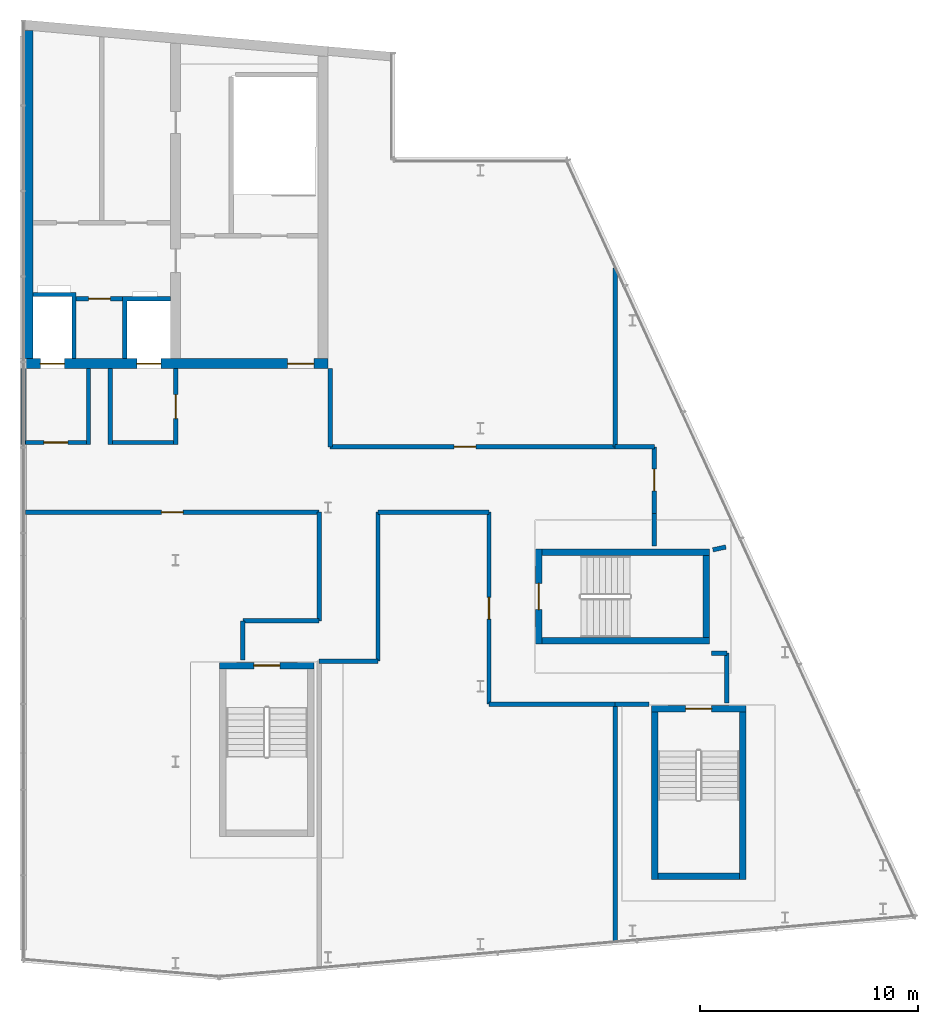
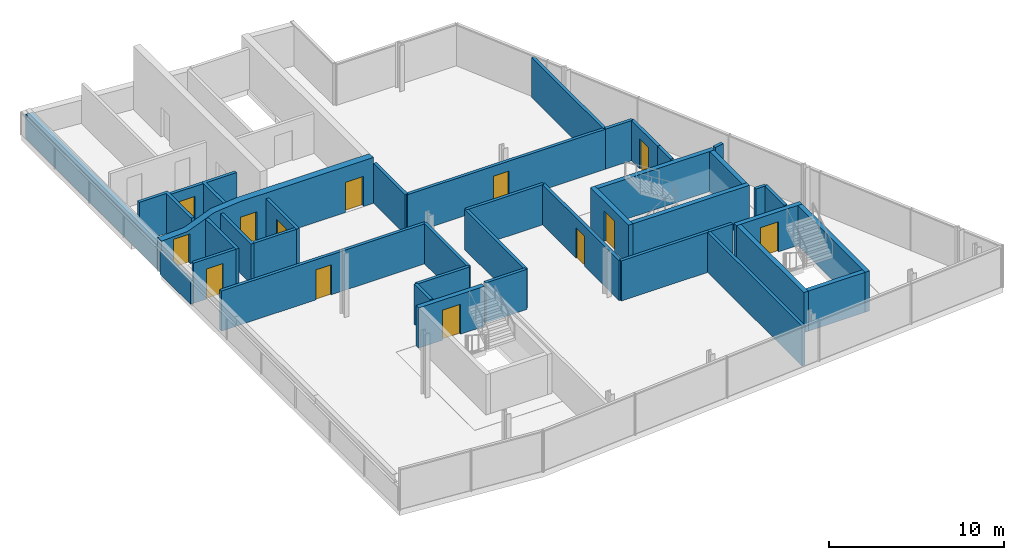
# One storey, part 8 of 10: 40 walls, 13 doors, 13 openings.
"""IFC4 building model written with IfcOpenShell, lengths in metres."""

import ifcopenshell
import ifcopenshell.guid

model = None  # the IFC model being written
_history = None  # IfcOwnerHistory: only IFC2X3 demands one
_inside = {}  # id of a spatial element -> (the spatial element, [elements in it])
_under = {}  # id of a project, library or spatial element -> (it, [spatial elements below it])
_declared = {}  # id of a project -> (the project, [libraries it declares])
_typed = {}  # id of a type object -> (the type object, [elements of that type])
_made_of = {}  # id of a material, layer set ... -> (it, [elements and type objects made of it])


def new_model(schema):
    """Start an empty IFC model of exactly this schema.

    Asked for "IFC4X3", IfcOpenShell would pick the latest addendum, in which some entities
    have other attributes; the version numbers below select the first issue.
    IFC2X3 requires an IfcOwnerHistory on every rooted entity: one is made here for all.
    """
    global model, _history
    if schema == "IFC4X3":
        model = ifcopenshell.file(schema_version=(4, 3, 0, 0))
    else:
        model = ifcopenshell.file(schema=schema)
    _inside.clear()
    _under.clear()
    _declared.clear()
    _typed.clear()
    _made_of.clear()
    _history = None
    if model.schema == "IFC2X3":
        org = make("IfcOrganization", Name="unknown")
        user = make(
            "IfcPersonAndOrganization",
            ThePerson=make("IfcPerson", FamilyName="unknown"),
            TheOrganization=org,
        )
        app = make(
            "IfcApplication",
            ApplicationDeveloper=org,
            Version="unknown",
            ApplicationFullName="unknown",
            ApplicationIdentifier="unknown",
        )
        _history = make(
            "IfcOwnerHistory",
            OwningUser=user,
            OwningApplication=app,
            ChangeAction="ADDED",
            CreationDate=0,
        )
    return model


def make(cls, **values):
    """One entity of the class cls with the attributes given. An attribute that is None is left unset."""
    return model.create_entity(
        cls, **{name: value for name, value in values.items() if value is not None}
    )


def rooted(cls, **values):
    """An entity with a GlobalId (a new one), such as an element, a storey or a relation."""
    return make(cls, GlobalId=ifcopenshell.guid.new(), OwnerHistory=_history, **values)


def si_unit(unit_type, name, prefix=None):
    """IfcSIUnit, for example si_unit("LENGTHUNIT", "METRE", prefix="MILLI")."""
    return make("IfcSIUnit", UnitType=unit_type, Prefix=prefix, Name=name)


def assignment(units):
    """IfcUnitAssignment: the units of a project."""
    return None if units is None else make("IfcUnitAssignment", Units=units)


def point(xyz):
    """IfcCartesianPoint."""
    return None if xyz is None else make("IfcCartesianPoint", Coordinates=xyz)


def direction(xyz):
    """IfcDirection."""
    return None if xyz is None else make("IfcDirection", DirectionRatios=xyz)


def frame(location, z_axis=None, x_axis=None):
    """IfcAxis2Placement3D, a coordinate frame: its origin and axes. An axis left out is left unset."""
    return make(
        "IfcAxis2Placement3D",
        Location=point(location),
        Axis=direction(z_axis),
        RefDirection=direction(x_axis),
    )


def frame_2d(location, x_axis=None):
    """IfcAxis2Placement2D, a coordinate frame in the plane: its origin and x axis."""
    return make(
        "IfcAxis2Placement2D", Location=point(location), RefDirection=direction(x_axis)
    )


def origin():
    """The frame at (0, 0, 0) with its axes left unset."""
    return frame((0.0, 0.0, 0.0))


def place(relative_to, where):
    """IfcLocalPlacement: puts the frame where relative to a parent placement (None: the world)."""
    return make(
        "IfcLocalPlacement", PlacementRelTo=relative_to, RelativePlacement=where
    )


def context(
    kind, dimensions, precision=None, world=None, true_north=None, identifier=None
):
    """IfcGeometricRepresentationContext, for example the 3D "Model" context."""
    return make(
        "IfcGeometricRepresentationContext",
        ContextIdentifier=identifier,
        ContextType=kind,
        CoordinateSpaceDimension=dimensions,
        Precision=precision,
        WorldCoordinateSystem=world,
        TrueNorth=true_north,
    )


def subcontext(parent, identifier, kind, view, scale=None):
    """IfcGeometricRepresentationSubContext, for example "Body" below "Model"."""
    return make(
        "IfcGeometricRepresentationSubContext",
        ContextIdentifier=identifier,
        ContextType=kind,
        ParentContext=parent,
        TargetScale=scale,
        TargetView=view,
    )


def project(units=None, contexts=None):
    """IfcProject with its units and contexts."""
    return rooted(
        "IfcProject",
        Name="project",
        RepresentationContexts=contexts,
        UnitsInContext=assignment(units),
    )


def spatial(cls, under=None, at=None, **own):
    """A site, building, storey or space (cls), placed at a placement, below another one or the project."""
    s = rooted(cls, ObjectPlacement=at, **own)
    if under is not None:
        _under.setdefault(under.id(), (under, []))[1].append(s)
    return s


def polyline(points):
    """IfcPolyline through the points."""
    return make("IfcPolyline", Points=[point(p) for p in points])


def profile(cls, at=None, kind="AREA", **sizes):
    """A parametric profile (cls). Its sizes go by their IFC names, for example OverallWidth=200.0."""
    return make(cls, ProfileType=kind, Position=at, **sizes)


def rectangle(**sizes):
    """IfcRectangleProfileDef."""
    return profile("IfcRectangleProfileDef", **sizes)


def outline(outer, holes=None, kind="AREA"):
    """IfcArbitraryClosedProfileDef: a profile drawn as a closed curve; with holes, ...WithVoids."""
    if holes is None:
        return make("IfcArbitraryClosedProfileDef", ProfileType=kind, OuterCurve=outer)
    return make(
        "IfcArbitraryProfileDefWithVoids",
        ProfileType=kind,
        OuterCurve=outer,
        InnerCurves=holes,
    )


def extrude(swept, where, along, depth):
    """IfcExtrudedAreaSolid: the profile swept, set in the frame where, extruded along a direction by depth."""
    return make(
        "IfcExtrudedAreaSolid",
        SweptArea=swept,
        Position=where,
        ExtrudedDirection=direction(along),
        Depth=depth,
    )


def shape(context_of_items, identifier, shape_type, items):
    """IfcShapeRepresentation: the items that make up one representation, for example the "Body"."""
    return make(
        "IfcShapeRepresentation",
        ContextOfItems=context_of_items,
        RepresentationIdentifier=identifier,
        RepresentationType=shape_type,
        Items=items,
    )


def material(Name=None, Category=None):
    """IfcMaterial."""
    return make("IfcMaterial", Name=Name, Category=Category)


def layer(
    of_material, thickness, ventilated=None, Name=None, Category=None, Priority=None
):
    """IfcMaterialLayer: one layer of a wall or slab, of a material (None: an air gap)."""
    return make(
        "IfcMaterialLayer",
        Material=of_material,
        LayerThickness=thickness,
        IsVentilated=ventilated,
        Name=Name,
        Category=Category,
        Priority=Priority,
    )


def layer_set(layers, Name=None):
    """IfcMaterialLayerSet."""
    return make("IfcMaterialLayerSet", MaterialLayers=layers, LayerSetName=Name)


def made_of(thing, what):
    """Note that an element or type object is made of a material, layer set ...; save() writes the relation."""
    if what is not None:
        _made_of.setdefault(what.id(), (what, []))[1].append(thing)
    return thing


def type_object(cls, material=None, **own):
    """A type object (cls), such as IfcWallType, which elements share."""
    return made_of(rooted(cls, **own), material)


def element(
    cls,
    number,
    at=None,
    inside=None,
    cuts=None,
    type_object=None,
    material=None,
    context=None,
    identifier="Body",
    shape_type=None,
    held_by="IfcProductDefinitionShape",
    body=None,
    shapes=None,
    **own,
):
    """One element of the class cls, such as IfcWall. Its Tag is "e" and its number.

    at: its placement. inside: the storey or other place that contains it. cuts: it is an
    opening in that element (IfcRelVoidsElement). A single representation is given by context,
    identifier, shape_type and body (its items); several are given by shapes. held_by: the class
    of the entity that holds the representations. save() writes the other relations.
    """
    e = rooted(cls, Tag="e%d" % number, ObjectPlacement=at, **own)
    if body is not None:
        shapes = [shape(context, identifier, shape_type, body)]
    if shapes is not None:
        e.Representation = make(held_by, Representations=shapes)
    if inside is not None:
        _inside.setdefault(inside.id(), (inside, []))[1].append(e)
    if cuts is not None:
        rooted(
            "IfcRelVoidsElement", RelatingBuildingElement=cuts, RelatedOpeningElement=e
        )
    if type_object is not None:
        _typed.setdefault(type_object.id(), (type_object, []))[1].append(e)
    return made_of(e, material)


def fill(opening, filler):
    """IfcRelFillsElement: the door or window that sits in an opening."""
    return rooted(
        "IfcRelFillsElement",
        RelatingOpeningElement=opening,
        RelatedBuildingElement=filler,
    )


def aggregate(whole, parts):
    """IfcRelAggregates: a whole, such as a stair, and the parts it consists of."""
    return rooted("IfcRelAggregates", RelatingObject=whole, RelatedObjects=parts)


def save(model, path):
    """Write the relations noted so far, then the file.

    IfcRelAggregates (storeys below a building ...), IfcRelContainedInSpatialStructure (elements
    in a storey), IfcRelDefinesByType, IfcRelAssociatesMaterial and IfcRelDeclares: one each for
    every whole, place, type object, material and project.
    """
    for whole, parts in _under.values():
        aggregate(whole, parts)
    for where, things in _inside.values():
        rooted(
            "IfcRelContainedInSpatialStructure",
            RelatedElements=things,
            RelatingStructure=where,
        )
    for kind, things in _typed.values():
        rooted("IfcRelDefinesByType", RelatedObjects=things, RelatingType=kind)
    for what, things in _made_of.values():
        rooted("IfcRelAssociatesMaterial", RelatedObjects=things, RelatingMaterial=what)
    for by, libraries in _declared.values():
        rooted("IfcRelDeclares", RelatingContext=by, RelatedDefinitions=libraries)
    model.write(path)


model = new_model("IFC4")

# Units and contexts
model_context = context("Model", 3, precision=1e-05, world=origin(), true_north=direction((0.0, 1.0)))
body_context = subcontext(model_context, "Body", "Model", "MODEL_VIEW")
ifc_project = project(units=[si_unit("LENGTHUNIT", "METRE"), si_unit("AREAUNIT", "SQUARE_METRE"), si_unit("VOLUMEUNIT", "CUBIC_METRE"), si_unit("PLANEANGLEUNIT", "RADIAN"), si_unit("MASSUNIT", "GRAM", prefix="KILO")], contexts=[model_context])

# Site, building, storey
site_placement = place(None, origin())
site = spatial("IfcSite", under=ifc_project, at=site_placement, CompositionType="ELEMENT")
building_placement = place(site_placement, origin())
building = spatial("IfcBuilding", under=site, at=building_placement, Name="Wharfspan Tower", CompositionType="ELEMENT")
storey_placement = place(building_placement, frame((0.0, 0.0, 267.5)))
storey = spatial("IfcBuildingStorey", under=building, at=storey_placement, Name="L68", CompositionType="ELEMENT", Elevation=267.5)

# Wall, opening, door
ifc_material_1 = material(Name="Calcium silicate masonry", Category="masonry")
ifc_layer_1 = layer(ifc_material_1, 0.199951)
ifc_layer_set_1 = layer_set([ifc_layer_1], Name="Calcium silicate masonry")
wall_type_1 = type_object("IfcWallType", Name="Core room wall 200", PredefinedType="PARTITIONING", material=ifc_layer_set_1)
wall_1_placement = place(storey_placement, frame((39.43335, 37.199951, 0.0), z_axis=(0.0, 0.0, 1.0), x_axis=(1.0, 0.0, 0.0)))
wall_1 = element("IfcWall", 1, at=wall_1_placement, inside=storey, type_object=wall_type_1, Name="sw:L68:FR4.2", PredefinedType="PARTITIONING", context=body_context, shape_type="SweptSolid", body=[
    extrude(rectangle(XDim=2.133301, YDim=0.199951, at=frame_2d((1.06665, 0.0))), origin(), (0.0, 0.0, 1.0), 2.800049),
])
opening_1_placement = place(wall_1_placement, frame((0.56665, 0.0, 0.0)))
opening_1 = element("IfcOpeningElement", 2, at=opening_1_placement, cuts=wall_1, Name="Opening CD68.4H2", PredefinedType="OPENING", context=body_context, shape_type="SweptSolid", body=[
    extrude(rectangle(XDim=1.0, YDim=2.100098, at=frame_2d((0.5, 1.050049))), frame((0.0, 0.109863, 0.0), z_axis=(0.0, -1.0, 0.0), x_axis=(1.0, 0.0, 0.0)), (0.0, 0.0, 1.0), 0.219971),
])
ifc_material_2 = material(Name="Steel door leaf", Category="steel")
door_type_1 = type_object("IfcDoorType", Name="Core room door 1000x2100", OperationType="SINGLE_SWING_LEFT", PredefinedType="DOOR", material=ifc_material_2)
door_1_placement = place(opening_1_placement, origin())
door_1 = element("IfcDoor", 3, at=door_1_placement, inside=storey, type_object=door_type_1, Name="d:L68:4:fh4.2", OperationType="SINGLE_SWING_RIGHT", OverallHeight=2.100098, OverallWidth=1.0, PredefinedType="DOOR", context=body_context, shape_type="SweptSolid", body=[
    extrude(rectangle(XDim=1.0, YDim=2.100098, at=frame_2d((0.5, 1.050049))), frame((0.0, 0.024902, 0.0), z_axis=(0.0, -1.0, 0.0), x_axis=(1.0, 0.0, 0.0)), (0.0, 0.0, 1.0), 0.050049),
])
fill(opening_1, door_1)

wall_2_placement = place(storey_placement, frame((37.100098, 27.399902, 0.0), z_axis=(0.0, 0.0, 1.0), x_axis=(1.0, 0.0, 0.0)))
wall_2 = element("IfcWall", 4, at=wall_2_placement, inside=storey, type_object=wall_type_1, Name="cr:L68:w1", PredefinedType="PARTITIONING", context=body_context, shape_type="SweptSolid", body=[
    extrude(rectangle(XDim=13.5, YDim=0.199951, at=frame_2d((6.75, 0.0))), origin(), (0.0, 0.0, 1.0), 2.800049),
])
opening_2_placement = place(wall_2_placement, frame((6.25, 0.0, 0.0)))
opening_2 = element("IfcOpeningElement", 5, at=opening_2_placement, cuts=wall_2, Name="Opening CD68.d1", PredefinedType="OPENING", context=body_context, shape_type="SweptSolid", body=[
    extrude(rectangle(XDim=1.0, YDim=2.100098, at=frame_2d((0.5, 1.050049))), frame((0.0, 0.109863, 0.0), z_axis=(0.0, -1.0, 0.0), x_axis=(1.0, 0.0, 0.0)), (0.0, 0.0, 1.0), 0.219971),
])
door_2_placement = place(opening_2_placement, origin())
door_2 = element("IfcDoor", 6, at=door_2_placement, inside=storey, type_object=door_type_1, Name="cd:L68:d1", OperationType="SINGLE_SWING_LEFT", OverallHeight=2.100098, OverallWidth=1.0, PredefinedType="DOOR", context=body_context, shape_type="SweptSolid", body=[
    extrude(rectangle(XDim=1.0, YDim=2.100098, at=frame_2d((0.5, 1.050049))), frame((0.0, 0.024902, 0.0), z_axis=(0.0, -1.0, 0.0), x_axis=(1.0, 0.0, 0.0)), (0.0, 0.0, 1.0), 0.050049),
])
fill(opening_2, door_2)

# Walls
wall_3_placement = place(storey_placement, frame((50.600098, 22.400391, 0.0), z_axis=(0.0, 0.0, 1.0), x_axis=(-1.0, 0.0, 0.0)))
element("IfcWall", 7, at=wall_3_placement, inside=storey, type_object=wall_type_1, Name="cr:L68:w2", PredefinedType="PARTITIONING", context=body_context, shape_type="SweptSolid", body=[
    extrude(rectangle(XDim=3.509033, YDim=0.199951, at=frame_2d((1.754395, 0.0))), origin(), (0.0, 0.0, 1.0), 2.800049),
])
wall_4_placement = place(storey_placement, frame((47.091064, 22.400391, 0.0), z_axis=(0.0, 0.0, 1.0), x_axis=(0.0, -1.0, 0.0)))
element("IfcWall", 8, at=wall_4_placement, inside=storey, type_object=wall_type_1, Name="cr:L68:w3", PredefinedType="PARTITIONING", context=body_context, shape_type="SweptSolid", body=[
    extrude(rectangle(XDim=1.800049, YDim=0.199951, at=frame_2d((0.899902, 0.0))), origin(), (0.0, 0.0, 1.0), 2.800049),
])
wall_5_placement = place(storey_placement, frame((53.300049, 20.550293, 0.0), z_axis=(0.0, 0.0, 1.0), x_axis=(0.0, 1.0, 0.0)))
element("IfcWall", 9, at=wall_5_placement, inside=storey, type_object=wall_type_1, Name="cr:L68:w5", PredefinedType="PARTITIONING", context=body_context, shape_type="SweptSolid", body=[
    extrude(rectangle(XDim=6.849609, YDim=0.199951, at=frame_2d((3.424805, 0.0))), origin(), (0.0, 0.0, 1.0), 2.800049),
])
wall_6_placement = place(storey_placement, frame((53.300049, 27.399902, 0.0), z_axis=(0.0, 0.0, 1.0), x_axis=(1.0, 0.0, 0.0)))
element("IfcWall", 10, at=wall_6_placement, inside=storey, type_object=wall_type_1, Name="cr:L68:w6", PredefinedType="PARTITIONING", context=body_context, shape_type="SweptSolid", body=[
    extrude(rectangle(XDim=5.099854, YDim=0.199951, at=frame_2d((2.549805, 0.0))), origin(), (0.0, 0.0, 1.0), 2.800049),
])

# Wall, opening, door
wall_7_placement = place(storey_placement, frame((58.399902, 27.399902, 0.0), z_axis=(0.0, 0.0, 1.0), x_axis=(0.0, -1.0, 0.0)))
wall_7 = element("IfcWall", 11, at=wall_7_placement, inside=storey, type_object=wall_type_1, Name="cr:L68:w7", PredefinedType="PARTITIONING", context=body_context, shape_type="SweptSolid", body=[
    extrude(rectangle(XDim=8.828125, YDim=0.199951, at=frame_2d((4.414062, 0.0))), origin(), (0.0, 0.0, 1.0), 2.800049),
])
opening_3_placement = place(wall_7_placement, frame((3.914062, 0.0, 0.0)))
opening_3 = element("IfcOpeningElement", 12, at=opening_3_placement, cuts=wall_7, Name="Opening CD68.d2", PredefinedType="OPENING", context=body_context, shape_type="SweptSolid", body=[
    extrude(rectangle(XDim=1.0, YDim=2.100098, at=frame_2d((0.5, 1.050049))), frame((0.0, 0.109863, 0.0), z_axis=(0.0, -1.0, 0.0), x_axis=(1.0, 0.0, 0.0)), (0.0, 0.0, 1.0), 0.219971),
])
door_3_placement = place(opening_3_placement, origin())
door_3 = element("IfcDoor", 13, at=door_3_placement, inside=storey, type_object=door_type_1, Name="cd:L68:d2", OperationType="SINGLE_SWING_LEFT", OverallHeight=2.100098, OverallWidth=1.0, PredefinedType="DOOR", context=body_context, shape_type="SweptSolid", body=[
    extrude(rectangle(XDim=1.0, YDim=2.100098, at=frame_2d((0.5, 1.050049))), frame((0.0, 0.024902, 0.0), z_axis=(0.0, -1.0, 0.0), x_axis=(1.0, 0.0, 0.0)), (0.0, 0.0, 1.0), 0.050049),
])
fill(opening_3, door_3)

# Walls
wall_8_placement = place(storey_placement, frame((58.399902, 18.571777, 0.0), z_axis=(0.0, 0.0, 1.0), x_axis=(1.0, 0.0, 0.0)))
element("IfcWall", 14, at=wall_8_placement, inside=storey, type_object=wall_type_1, Name="cr:L68:w8", PredefinedType="PARTITIONING", context=body_context, shape_type="SweptSolid", body=[
    extrude(rectangle(XDim=5.800049, YDim=0.199951, at=frame_2d((2.899902, 0.0))), origin(), (0.0, 0.0, 1.0), 2.800049),
])
wall_9_placement = place(storey_placement, frame((50.600098, 20.550293, 0.0), z_axis=(0.0, 0.0, 1.0), x_axis=(1.0, 0.0, 0.0)))
element("IfcWall", 15, at=wall_9_placement, inside=storey, type_object=wall_type_1, Name="cr:L68:w9", PredefinedType="PARTITIONING", context=body_context, shape_type="SweptSolid", body=[
    extrude(rectangle(XDim=2.699951, YDim=0.199951, at=frame_2d((1.350098, 0.0))), origin(), (0.0, 0.0, 1.0), 2.800049),
])
wall_10_placement = place(storey_placement, frame((64.199951, 18.571777, 0.0), z_axis=(0.0, 0.0, 1.0), x_axis=(0.0, -1.0, 0.0)))
element("IfcWall", 16, at=wall_10_placement, inside=storey, type_object=wall_type_1, Name="cr:L68:w10", PredefinedType="PARTITIONING", context=body_context, shape_type="SweptSolid", body=[
    extrude(rectangle(XDim=10.878662, YDim=0.199951, at=frame_2d((5.439453, 0.0))), origin(), (0.0, 0.0, 1.0), 2.800049),
])

# Wall, opening, door
wall_11_placement = place(storey_placement, frame((64.199951, 30.399902, 0.0), z_axis=(0.0, 0.0, 1.0), x_axis=(-1.0, 0.0, 0.0)))
wall_11 = element("IfcWall", 17, at=wall_11_placement, inside=storey, type_object=wall_type_1, Name="cr:L68:w11", PredefinedType="PARTITIONING", context=body_context, shape_type="SweptSolid", body=[
    extrude(rectangle(XDim=13.099854, YDim=0.199951, at=frame_2d((6.549805, 0.0))), origin(), (0.0, 0.0, 1.0), 2.800049),
])
opening_4_placement = place(wall_11_placement, frame((6.399902, 0.0, 0.0)))
opening_4 = element("IfcOpeningElement", 18, at=opening_4_placement, cuts=wall_11, Name="Opening CD68.d3", PredefinedType="OPENING", context=body_context, shape_type="SweptSolid", body=[
    extrude(rectangle(XDim=1.0, YDim=2.100098, at=frame_2d((0.5, 1.050049))), frame((0.0, 0.109863, 0.0), z_axis=(0.0, -1.0, 0.0), x_axis=(1.0, 0.0, 0.0)), (0.0, 0.0, 1.0), 0.219971),
])
door_4_placement = place(opening_4_placement, origin())
door_4 = element("IfcDoor", 19, at=door_4_placement, inside=storey, type_object=door_type_1, Name="cd:L68:d3", OperationType="SINGLE_SWING_LEFT", OverallHeight=2.100098, OverallWidth=1.0, PredefinedType="DOOR", context=body_context, shape_type="SweptSolid", body=[
    extrude(rectangle(XDim=1.0, YDim=2.100098, at=frame_2d((0.5, 1.050049))), frame((0.0, 0.024902, 0.0), z_axis=(0.0, -1.0, 0.0), x_axis=(1.0, 0.0, 0.0)), (0.0, 0.0, 1.0), 0.050049),
])
fill(opening_4, door_4)

# Walls
wall_12_placement = place(storey_placement, frame((64.199951, 38.61377, 0.0), z_axis=(0.0, 0.0, 1.0), x_axis=(0.0, -1.0, 0.0)))
element("IfcWall", 20, at=wall_12_placement, inside=storey, type_object=wall_type_1, Name="cr:L68:w12", PredefinedType="PARTITIONING", context=body_context, shape_type="SweptSolid", body=[
    extrude(rectangle(XDim=8.213867, YDim=0.199951, at=frame_2d((4.106934, 0.0))), origin(), (0.0, 0.0, 1.0), 2.800049),
])
wall_13_placement = place(storey_placement, frame((51.100098, 30.399902, 0.0), z_axis=(0.0, 0.0, 1.0), x_axis=(0.0, 1.0, 0.0)))
element("IfcWall", 21, at=wall_13_placement, inside=storey, type_object=wall_type_1, Name="cr:L68:w13", PredefinedType="PARTITIONING", context=body_context, shape_type="SweptSolid", body=[
    extrude(rectangle(XDim=3.59375, YDim=0.199951, at=frame_2d((1.796875, 0.0))), origin(), (0.0, 0.0, 1.0), 2.800049),
])
wall_14_placement = place(storey_placement, frame((69.331543, 18.621582, 0.0), z_axis=(0.0, 0.0, 1.0), x_axis=(0.0, 1.0, 0.0)))
element("IfcWall", 22, at=wall_14_placement, inside=storey, type_object=wall_type_1, Name="cr:L68:w14", PredefinedType="PARTITIONING", context=body_context, shape_type="SweptSolid", body=[
    extrude(rectangle(XDim=2.300049, YDim=0.199951, at=frame_2d((1.149902, 0.0))), origin(), (0.0, 0.0, 1.0), 2.800049),
])
wall_15_placement = place(storey_placement, frame((69.331543, 20.921631, 0.0), z_axis=(0.0, 0.0, 1.0), x_axis=(-1.0, 0.0, 0.0)))
element("IfcWall", 23, at=wall_15_placement, inside=storey, type_object=wall_type_1, Name="cr:L68:w15", PredefinedType="PARTITIONING", context=body_context, shape_type="SweptSolid", body=[
    extrude(rectangle(XDim=0.699951, YDim=0.199951, at=frame_2d((0.350098, 0.0))), origin(), (0.0, 0.0, 1.0), 2.800049),
])

# Wall, opening, door
wall_16_placement = place(storey_placement, frame((66.0, 27.340088, 0.0), z_axis=(0.0, 0.0, 1.0), x_axis=(0.0, 1.0, 0.0)))
wall_16 = element("IfcWall", 24, at=wall_16_placement, inside=storey, type_object=wall_type_1, Name="cr:L68:w16", PredefinedType="PARTITIONING", context=body_context, shape_type="SweptSolid", body=[
    extrude(rectangle(XDim=3.059814, YDim=0.199951, at=frame_2d((1.529785, 0.0))), origin(), (0.0, 0.0, 1.0), 2.800049),
])
opening_5_placement = place(wall_16_placement, frame((1.030029, 0.0, 0.0)))
opening_5 = element("IfcOpeningElement", 25, at=opening_5_placement, cuts=wall_16, Name="Opening CD68.d4", PredefinedType="OPENING", context=body_context, shape_type="SweptSolid", body=[
    extrude(rectangle(XDim=1.0, YDim=2.100098, at=frame_2d((0.5, 1.050049))), frame((0.0, 0.109863, 0.0), z_axis=(0.0, -1.0, 0.0), x_axis=(1.0, 0.0, 0.0)), (0.0, 0.0, 1.0), 0.219971),
])
door_5_placement = place(opening_5_placement, origin())
door_5 = element("IfcDoor", 26, at=door_5_placement, inside=storey, type_object=door_type_1, Name="cd:L68:d4", OperationType="SINGLE_SWING_LEFT", OverallHeight=2.100098, OverallWidth=1.0, PredefinedType="DOOR", context=body_context, shape_type="SweptSolid", body=[
    extrude(rectangle(XDim=1.0, YDim=2.100098, at=frame_2d((0.5, 1.050049))), frame((0.0, 0.024902, 0.0), z_axis=(0.0, -1.0, 0.0), x_axis=(1.0, 0.0, 0.0)), (0.0, 0.0, 1.0), 0.050049),
])
fill(opening_5, door_5)

# Walls
wall_17_placement = place(storey_placement, frame((66.0, 30.399902, 0.0), z_axis=(0.0, 0.0, 1.0), x_axis=(-1.0, 0.0, 0.0)))
element("IfcWall", 27, at=wall_17_placement, inside=storey, type_object=wall_type_1, Name="cr:L68:w17", PredefinedType="PARTITIONING", context=body_context, shape_type="SweptSolid", body=[
    extrude(rectangle(XDim=1.800049, YDim=0.199951, at=frame_2d((0.899902, 0.0))), origin(), (0.0, 0.0, 1.0), 2.800049),
])
wall_18_placement = place(storey_placement, frame((64.199951, 18.571777, 0.0), z_axis=(0.0, 0.0, 1.0), x_axis=(1.0, 0.0, 0.0)))
element("IfcWall", 28, at=wall_18_placement, inside=storey, type_object=wall_type_1, Name="cr:L68:w18", PredefinedType="PARTITIONING", context=body_context, shape_type="SweptSolid", body=[
    extrude(rectangle(XDim=1.556641, YDim=0.199951, at=frame_2d((0.77832, 0.0))), origin(), (0.0, 0.0, 1.0), 2.800049),
])
wall_19_placement = place(storey_placement, frame((50.600098, 27.399902, 0.0), z_axis=(0.0, 0.0, 1.0), x_axis=(0.0, -1.0, 0.0)))
element("IfcWall", 29, at=wall_19_placement, inside=storey, type_object=wall_type_1, Name="cr:L68:w19", PredefinedType="PARTITIONING", context=body_context, shape_type="SweptSolid", body=[
    extrude(rectangle(XDim=4.999512, YDim=0.199951, at=frame_2d((2.499756, 0.0))), origin(), (0.0, 0.0, 1.0), 2.800049),
])
wall_20_placement = place(storey_placement, frame((68.688721, 25.666504, 0.0), z_axis=(0.0, 0.0, 1.0), x_axis=(0.976941, 0.213493, 0.0)))
element("IfcWall", 30, at=wall_20_placement, inside=storey, type_object=wall_type_1, Name="cr:L68:w20", PredefinedType="PARTITIONING", context=body_context, shape_type="SweptSolid", body=[
    extrude(rectangle(XDim=0.609619, YDim=0.199951, at=frame_2d((0.304688, 0.0))), origin(), (0.0, 0.0, 1.0), 2.800049),
])
wall_21_placement = place(storey_placement, frame((66.0, 25.84668, 0.0), z_axis=(0.0, 0.0, 1.0), x_axis=(0.0, 1.0, 0.0)))
element("IfcWall", 31, at=wall_21_placement, inside=storey, type_object=wall_type_1, Name="cr:L68:w22", PredefinedType="PARTITIONING", context=body_context, shape_type="SweptSolid", body=[
    extrude(rectangle(XDim=1.493408, YDim=0.199951, at=frame_2d((0.746582, 0.0))), origin(), (0.0, 0.0, 1.0), 2.800049),
])

# Wall, openings, doors
ifc_material_3 = material(Name="Concrete C50/60", Category="concrete")
ifc_layer_2 = layer(ifc_material_3, 0.449951)
ifc_layer_set_2 = layer_set([ifc_layer_2], Name="Concrete C50/60")
wall_type_2 = type_object("IfcWallType", Name="Core wall 450 C50/60", PredefinedType="SHEAR", material=ifc_layer_set_2)
wall_22_placement = place(storey_placement, frame((37.0, 34.225098, 0.0), z_axis=(0.0, 0.0, 1.0), x_axis=(1.0, 0.0, 0.0)))
wall_22 = element("IfcWall", 32, at=wall_22_placement, inside=storey, type_object=wall_type_2, Name="Core front wall L68", PredefinedType="SHEAR", context=body_context, shape_type="SweptSolid", body=[
    extrude(outline(polyline([(0.0, 0.0), (14.0, 0.0), (14.0, 3.199951), (12.25, 3.199951), (10.5, 3.199951), (8.75, 3.199951), (7.0, 3.199951), (5.25, 3.199951), (3.5, 3.035889), (1.75, 2.329102), (0.0, 2.25), (0.0, 0.0)])), frame((0.0, 0.225098, 0.0), z_axis=(0.0, -1.0, 0.0), x_axis=(1.0, 0.0, 0.0)), (0.0, 0.0, 1.0), 0.449951),
])
opening_6_placement = place(wall_22_placement, frame((0.791748, 0.0, 0.0)))
opening_6 = element("IfcOpeningElement", 33, at=opening_6_placement, cuts=wall_22, Name="Opening LD.FF1.L68", PredefinedType="OPENING", context=body_context, shape_type="SweptSolid", body=[
    extrude(rectangle(XDim=1.100098, YDim=2.100098, at=frame_2d((0.550049, 1.050049))), frame((0.0, 0.234863, 0.0), z_axis=(0.0, -1.0, 0.0), x_axis=(1.0, 0.0, 0.0)), (0.0, 0.0, 1.0), 0.469971),
])
opening_7_placement = place(wall_22_placement, frame((5.220703, 0.0, 0.0)))
opening_7 = element("IfcOpeningElement", 34, at=opening_7_placement, cuts=wall_22, Name="Opening LD.FF2.L68", PredefinedType="OPENING", context=body_context, shape_type="SweptSolid", body=[
    extrude(rectangle(XDim=1.100098, YDim=2.100098, at=frame_2d((0.550049, 1.050049))), frame((0.0, 0.234863, 0.0), z_axis=(0.0, -1.0, 0.0), x_axis=(1.0, 0.0, 0.0)), (0.0, 0.0, 1.0), 0.469971),
])
opening_8_placement = place(wall_22_placement, frame((12.149902, 0.0, 0.0)))
opening_8 = element("IfcOpeningElement", 35, at=opening_8_placement, cuts=wall_22, Name="Opening SV5.L68", PredefinedType="OPENING", context=body_context, shape_type="SweptSolid", body=[
    extrude(rectangle(XDim=1.199951, YDim=2.100098, at=frame_2d((0.600098, 1.050049))), frame((0.0, 0.234863, 0.0), z_axis=(0.0, -1.0, 0.0), x_axis=(1.0, 0.0, 0.0)), (0.0, 0.0, 1.0), 0.469971),
])
ifc_material_4 = material(Name="Stainless steel", Category="steel")
door_type_2 = type_object("IfcDoorType", Name="Lift landing door 1100x2100", OperationType="DOUBLE_DOOR_SLIDING", PredefinedType="DOOR", material=ifc_material_4)
door_6_placement = place(opening_6_placement, origin())
door_6 = element("IfcDoor", 36, at=door_6_placement, inside=storey, type_object=door_type_2, Name="Landing door FF1 L68", OperationType="DOUBLE_DOOR_SLIDING", OverallHeight=2.100098, OverallWidth=1.100098, PredefinedType="DOOR", context=body_context, shape_type="SweptSolid", body=[
    extrude(rectangle(XDim=1.100098, YDim=2.100098, at=frame_2d((0.550049, 1.050049))), frame((0.0, 0.024902, 0.0), z_axis=(0.0, -1.0, 0.0), x_axis=(1.0, 0.0, 0.0)), (0.0, 0.0, 1.0), 0.050049),
])
fill(opening_6, door_6)
door_7_placement = place(opening_7_placement, origin())
door_7 = element("IfcDoor", 37, at=door_7_placement, inside=storey, type_object=door_type_2, Name="Landing door FF2 L68", OperationType="DOUBLE_DOOR_SLIDING", OverallHeight=2.100098, OverallWidth=1.100098, PredefinedType="DOOR", context=body_context, shape_type="SweptSolid", body=[
    extrude(rectangle(XDim=1.100098, YDim=2.100098, at=frame_2d((0.550049, 1.050049))), frame((0.0, 0.024902, 0.0), z_axis=(0.0, -1.0, 0.0), x_axis=(1.0, 0.0, 0.0)), (0.0, 0.0, 1.0), 0.050049),
])
fill(opening_7, door_7)
door_type_3 = type_object("IfcDoorType", Name="Stair door 1200x2100", OperationType="SINGLE_SWING_LEFT", PredefinedType="DOOR", material=ifc_material_2)
door_8_placement = place(opening_8_placement, origin())
door_8 = element("IfcDoor", 38, at=door_8_placement, inside=storey, type_object=door_type_3, Name="vd:L68:5", OperationType="SINGLE_SWING_LEFT", OverallHeight=2.100098, OverallWidth=1.199951, PredefinedType="DOOR", context=body_context, shape_type="SweptSolid", body=[
    extrude(rectangle(XDim=1.199951, YDim=2.100098, at=frame_2d((0.600098, 1.050049))), frame((0.0, 0.024902, 0.0), z_axis=(0.0, -1.0, 0.0), x_axis=(1.0, 0.0, 0.0)), (0.0, 0.0, 1.0), 0.050049),
])
fill(opening_8, door_8)

# Walls
wall_23_placement = place(storey_placement, frame((37.225098, 34.449951, 0.0), z_axis=(0.0, 0.0, 1.0), x_axis=(0.0, 1.0, 0.0)))
element("IfcWall", 39, at=wall_23_placement, inside=storey, type_object=wall_type_2, Name="Core cross wall EW0 L68", PredefinedType="SHEAR", context=body_context, shape_type="SweptSolid", body=[
    extrude(rectangle(XDim=15.071289, YDim=0.449951, at=frame_2d((7.535645, 0.0))), origin(), (0.0, 0.0, 1.0), 1.712891),
])
ifc_material_5 = material(Name="Concrete C30/37", Category="concrete")
ifc_layer_3 = layer(ifc_material_5, 0.199951)
ifc_layer_set_3 = layer_set([ifc_layer_3], Name="Concrete C30/37")
wall_type_3 = type_object("IfcWallType", Name="Lift shaft wall 200", PredefinedType="PARTITIONING", material=ifc_layer_set_3)
wall_24_placement = place(storey_placement, origin())
element("IfcWall", 40, at=wall_24_placement, inside=storey, type_object=wall_type_3, Name="sw:L68:FM4.0", PredefinedType="PARTITIONING", context=body_context, shape_type="SweptSolid", body=[
    extrude(outline(polyline([(41.56665, 37.300049), (41.766602, 37.300049), (43.774902, 37.300049), (43.774902, 37.100098), (41.766602, 37.100098), (41.766602, 34.449951), (41.56665, 34.449951), (41.56665, 37.300049)])), origin(), (0.0, 0.0, 1.0), 2.800049),
])
wall_25_placement = place(storey_placement, origin())
element("IfcWall", 41, at=wall_25_placement, inside=storey, type_object=wall_type_3, Name="sw:L68:FM4.1", PredefinedType="PARTITIONING", context=body_context, shape_type="SweptSolid", body=[
    extrude(outline(polyline([(39.233398, 37.300049), (37.449951, 37.300049), (37.449951, 37.5), (39.233398, 37.5), (39.43335, 37.5), (39.43335, 34.449951), (39.233398, 34.449951), (39.233398, 37.300049)])), origin(), (0.0, 0.0, 1.0), 2.800049),
])
ifc_layer_4 = layer(ifc_material_5, 0.199951)
ifc_layer_set_4 = layer_set([ifc_layer_4], Name="Concrete C30/37")
wall_type_4 = type_object("IfcWallType", Name="Lobby wall 200", PredefinedType="PARTITIONING", material=ifc_layer_set_4)
wall_26_placement = place(storey_placement, frame((37.0, 30.5, 0.0), z_axis=(0.0, 0.0, 1.0), x_axis=(0.0, 1.0, 0.0)))
element("IfcWall", 42, at=wall_26_placement, inside=storey, type_object=wall_type_4, Name="sw:L68:FLFF1W", PredefinedType="PARTITIONING", context=body_context, shape_type="SweptSolid", body=[
    extrude(rectangle(XDim=3.5, YDim=0.199951, at=frame_2d((1.75, 0.0))), origin(), (0.0, 0.0, 1.0), 1.601807),
])
wall_27_placement = place(storey_placement, frame((40.0, 30.5, 0.0), z_axis=(0.0, 0.0, 1.0), x_axis=(0.0, 1.0, 0.0)))
element("IfcWall", 43, at=wall_27_placement, inside=storey, type_object=wall_type_4, Name="sw:L68:FLFF1E", PredefinedType="PARTITIONING", context=body_context, shape_type="SweptSolid", body=[
    extrude(rectangle(XDim=3.5, YDim=0.199951, at=frame_2d((1.75, 0.0))), origin(), (0.0, 0.0, 1.0), 2.800049),
])

# Wall, opening, door
wall_28_placement = place(storey_placement, frame((37.100098, 30.600098, 0.0), z_axis=(0.0, 0.0, 1.0), x_axis=(1.0, 0.0, 0.0)))
wall_28 = element("IfcWall", 44, at=wall_28_placement, inside=storey, type_object=wall_type_4, Name="sw:L68:FLFF1F", PredefinedType="PARTITIONING", context=body_context, shape_type="SweptSolid", body=[
    extrude(rectangle(XDim=2.799805, YDim=0.199951, at=frame_2d((1.399902, 0.0))), origin(), (0.0, 0.0, 1.0), 2.800049),
])
opening_9_placement = place(wall_28_placement, frame((0.850098, 0.0, 0.0)))
opening_9 = element("IfcOpeningElement", 45, at=opening_9_placement, cuts=wall_28, Name="Opening FL.FF1.L68", PredefinedType="OPENING", context=body_context, shape_type="SweptSolid", body=[
    extrude(rectangle(XDim=1.100098, YDim=2.100098, at=frame_2d((0.550049, 1.050049))), frame((0.0, 0.109863, 0.0), z_axis=(0.0, -1.0, 0.0), x_axis=(1.0, 0.0, 0.0)), (0.0, 0.0, 1.0), 0.219971),
])
door_type_4 = type_object("IfcDoorType", Name="Firefighting lobby door 1100x2100", OperationType="SINGLE_SWING_LEFT", PredefinedType="DOOR", material=ifc_material_2)
door_9_placement = place(opening_9_placement, origin())
door_9 = element("IfcDoor", 46, at=door_9_placement, inside=storey, type_object=door_type_4, Name="fd:L68:FF1", OperationType="SINGLE_SWING_LEFT", OverallHeight=2.100098, OverallWidth=1.100098, PredefinedType="DOOR", context=body_context, shape_type="SweptSolid", body=[
    extrude(rectangle(XDim=1.100098, YDim=2.100098, at=frame_2d((0.550049, 1.050049))), frame((0.0, 0.024902, 0.0), z_axis=(0.0, -1.0, 0.0), x_axis=(1.0, 0.0, 0.0)), (0.0, 0.0, 1.0), 0.050049),
])
fill(opening_9, door_9)

# Wall
wall_29_placement = place(storey_placement, frame((41.0, 30.5, 0.0), z_axis=(0.0, 0.0, 1.0), x_axis=(0.0, 1.0, 0.0)))
element("IfcWall", 47, at=wall_29_placement, inside=storey, type_object=wall_type_4, Name="sw:L68:FLFF2W", PredefinedType="PARTITIONING", context=body_context, shape_type="SweptSolid", body=[
    extrude(rectangle(XDim=3.5, YDim=0.199951, at=frame_2d((1.75, 0.0))), origin(), (0.0, 0.0, 1.0), 2.800049),
])

# Wall, opening, door
wall_30_placement = place(storey_placement, frame((44.0, 30.5, 0.0), z_axis=(0.0, 0.0, 1.0), x_axis=(0.0, 1.0, 0.0)))
wall_30 = element("IfcWall", 48, at=wall_30_placement, inside=storey, type_object=wall_type_4, Name="sw:L68:FLFF2E", PredefinedType="PARTITIONING", context=body_context, shape_type="SweptSolid", body=[
    extrude(rectangle(XDim=3.5, YDim=0.199951, at=frame_2d((1.75, 0.0))), origin(), (0.0, 0.0, 1.0), 2.800049),
])
opening_10_placement = place(wall_30_placement, frame((1.199951, 0.0, 0.0)))
opening_10 = element("IfcOpeningElement", 49, at=opening_10_placement, cuts=wall_30, Name="Opening FL.FF2.L68", PredefinedType="OPENING", context=body_context, shape_type="SweptSolid", body=[
    extrude(rectangle(XDim=1.100098, YDim=2.100098, at=frame_2d((0.550049, 1.050049))), frame((0.0, 0.109863, 0.0), z_axis=(0.0, -1.0, 0.0), x_axis=(1.0, 0.0, 0.0)), (0.0, 0.0, 1.0), 0.219971),
])
door_10_placement = place(opening_10_placement, origin())
door_10 = element("IfcDoor", 50, at=door_10_placement, inside=storey, type_object=door_type_4, Name="fd:L68:FF2", OperationType="SINGLE_SWING_LEFT", OverallHeight=2.100098, OverallWidth=1.100098, PredefinedType="DOOR", context=body_context, shape_type="SweptSolid", body=[
    extrude(rectangle(XDim=1.100098, YDim=2.100098, at=frame_2d((0.550049, 1.050049))), frame((0.0, 0.024902, 0.0), z_axis=(0.0, -1.0, 0.0), x_axis=(1.0, 0.0, 0.0)), (0.0, 0.0, 1.0), 0.050049),
])
fill(opening_10, door_10)

# Wall
wall_31_placement = place(storey_placement, frame((41.100098, 30.600098, 0.0), z_axis=(0.0, 0.0, 1.0), x_axis=(1.0, 0.0, 0.0)))
element("IfcWall", 51, at=wall_31_placement, inside=storey, type_object=wall_type_4, Name="sw:L68:FLFF2F", PredefinedType="PARTITIONING", context=body_context, shape_type="SweptSolid", body=[
    extrude(rectangle(XDim=2.799805, YDim=0.199951, at=frame_2d((1.399902, 0.0))), origin(), (0.0, 0.0, 1.0), 2.800049),
])

# Wall, opening, door
ifc_material_6 = material(Name="Concrete C40/50", Category="concrete")
ifc_layer_5 = layer(ifc_material_6, 0.300049)
ifc_layer_set_5 = layer_set([ifc_layer_5], Name="Concrete C40/50")
wall_type_5 = type_object("IfcWallType", Name="Stair core wall 300", PredefinedType="SHEAR", material=ifc_layer_set_5)
wall_32_placement = place(storey_placement, frame((65.856689, 18.371582, 0.0), z_axis=(0.0, 0.0, 1.0), x_axis=(1.0, 0.0, 0.0)))
wall_32 = element("IfcWall", 52, at=wall_32_placement, inside=storey, type_object=wall_type_5, Name="ST7 stair enclosure wall L68", PredefinedType="SHEAR", context=body_context, shape_type="SweptSolid", body=[
    extrude(rectangle(XDim=4.349854, YDim=0.300049, at=frame_2d((2.174805, 0.0))), origin(), (0.0, 0.0, 1.0), 2.800049),
])
opening_11_placement = place(wall_32_placement, frame((1.574951, 0.0, 0.0)))
opening_11 = element("IfcOpeningElement", 53, at=opening_11_placement, cuts=wall_32, Name="Opening SD7.L68", PredefinedType="OPENING", context=body_context, shape_type="SweptSolid", body=[
    extrude(rectangle(XDim=1.199951, YDim=2.100098, at=frame_2d((0.600098, 1.050049))), frame((0.0, 0.159912, 0.0), z_axis=(0.0, -1.0, 0.0), x_axis=(1.0, 0.0, 0.0)), (0.0, 0.0, 1.0), 0.320068),
])
door_11_placement = place(opening_11_placement, origin())
door_11 = element("IfcDoor", 54, at=door_11_placement, inside=storey, type_object=door_type_3, Name="sd:L68:ST7z5", OperationType="SINGLE_SWING_RIGHT", OverallHeight=2.100098, OverallWidth=1.199951, PredefinedType="DOOR", context=body_context, shape_type="SweptSolid", body=[
    extrude(rectangle(XDim=1.199951, YDim=2.100098, at=frame_2d((0.600098, 1.050049))), frame((0.0, 0.024902, 0.0), z_axis=(0.0, -1.0, 0.0), x_axis=(1.0, 0.0, 0.0)), (0.0, 0.0, 1.0), 0.050049),
])
fill(opening_11, door_11)

wall_33_placement = place(storey_placement, frame((60.681641, 21.34668, 0.0), z_axis=(0.0, 0.0, 1.0), x_axis=(0.0, 1.0, 0.0)))
wall_33 = element("IfcWall", 55, at=wall_33_placement, inside=storey, type_object=wall_type_5, Name="ST8 stair enclosure wall L68", PredefinedType="SHEAR", context=body_context, shape_type="SweptSolid", body=[
    extrude(rectangle(XDim=4.350098, YDim=0.300049, at=frame_2d((2.175049, 0.0))), origin(), (0.0, 0.0, 1.0), 2.800049),
])
opening_12_placement = place(wall_33_placement, frame((1.574951, 0.0, 0.0)))
opening_12 = element("IfcOpeningElement", 56, at=opening_12_placement, cuts=wall_33, Name="Opening SD8.L68", PredefinedType="OPENING", context=body_context, shape_type="SweptSolid", body=[
    extrude(rectangle(XDim=1.199951, YDim=2.100098, at=frame_2d((0.600098, 1.050049))), frame((0.0, 0.159912, 0.0), z_axis=(0.0, -1.0, 0.0), x_axis=(1.0, 0.0, 0.0)), (0.0, 0.0, 1.0), 0.320068),
])
door_12_placement = place(opening_12_placement, origin())
door_12 = element("IfcDoor", 57, at=door_12_placement, inside=storey, type_object=door_type_3, Name="sd:L68:ST8z5", OperationType="SINGLE_SWING_RIGHT", OverallHeight=2.100098, OverallWidth=1.199951, PredefinedType="DOOR", context=body_context, shape_type="SweptSolid", body=[
    extrude(rectangle(XDim=1.199951, YDim=2.100098, at=frame_2d((0.600098, 1.050049))), frame((0.0, 0.024902, 0.0), z_axis=(0.0, -1.0, 0.0), x_axis=(1.0, 0.0, 0.0)), (0.0, 0.0, 1.0), 0.050049),
])
fill(opening_12, door_12)

wall_34_placement = place(storey_placement, frame((46.016113, 20.350342, 0.0), z_axis=(0.0, 0.0, 1.0), x_axis=(1.0, 0.0, 0.0)))
wall_34 = element("IfcWall", 58, at=wall_34_placement, inside=storey, type_object=wall_type_5, Name="ST9 stair enclosure wall L68", PredefinedType="SHEAR", context=body_context, shape_type="SweptSolid", body=[
    extrude(rectangle(XDim=4.350098, YDim=0.300049, at=frame_2d((2.175049, 0.0))), origin(), (0.0, 0.0, 1.0), 2.800049),
])
opening_13_placement = place(wall_34_placement, frame((1.574951, 0.0, 0.0)))
opening_13 = element("IfcOpeningElement", 59, at=opening_13_placement, cuts=wall_34, Name="Opening SD9.L68", PredefinedType="OPENING", context=body_context, shape_type="SweptSolid", body=[
    extrude(rectangle(XDim=1.199951, YDim=2.100098, at=frame_2d((0.600098, 1.050049))), frame((0.0, 0.159912, 0.0), z_axis=(0.0, -1.0, 0.0), x_axis=(1.0, 0.0, 0.0)), (0.0, 0.0, 1.0), 0.320068),
])
door_13_placement = place(opening_13_placement, origin())
door_13 = element("IfcDoor", 60, at=door_13_placement, inside=storey, type_object=door_type_3, Name="sd:L68:ST9z5", OperationType="SINGLE_SWING_RIGHT", OverallHeight=2.100098, OverallWidth=1.199951, PredefinedType="DOOR", context=body_context, shape_type="SweptSolid", body=[
    extrude(rectangle(XDim=1.199951, YDim=2.100098, at=frame_2d((0.600098, 1.050049))), frame((0.0, 0.024902, 0.0), z_axis=(0.0, -1.0, 0.0), x_axis=(1.0, 0.0, 0.0)), (0.0, 0.0, 1.0), 0.050049),
])
fill(opening_13, door_13)

# Walls
for number, where, z_axis, x_axis, name in (
    (61, (66.006592, 10.521729, 0.0), (0.0, 0.0, 1.0), (0.0, 1.0, 0.0), "ST7 stair enclosure wall L68"),
    (62, (70.056641, 10.521729, 0.0), (0.0, 0.0, 1.0), (0.0, 1.0, 0.0), "ST7 stair enclosure wall L68"),
):
    element("IfcWall", number, at=place(storey_placement, frame(where, z_axis=z_axis, x_axis=x_axis)), inside=storey, type_object=wall_type_5, Name=name, PredefinedType="SHEAR", context=body_context, shape_type="SweptSolid", body=[
        extrude(rectangle(XDim=7.699951, YDim=0.300049, at=frame_2d((3.850098, 0.0))), origin(), (0.0, 0.0, 1.0), 2.800049),
    ])
wall_35_placement = place(storey_placement, frame((66.156494, 10.671631, 0.0), z_axis=(0.0, 0.0, 1.0), x_axis=(1.0, 0.0, 0.0)))
element("IfcWall", 63, at=wall_35_placement, inside=storey, type_object=wall_type_5, Name="ST7 stair enclosure wall L68", PredefinedType="SHEAR", context=body_context, shape_type="SweptSolid", body=[
    extrude(rectangle(XDim=3.75, YDim=0.300049, at=frame_2d((1.875, 0.0))), origin(), (0.0, 0.0, 1.0), 2.800049),
])
for number, where, z_axis, x_axis, name in (
    (64, (60.831543, 21.496582, 0.0), (0.0, 0.0, 1.0), (1.0, 0.0, 0.0), "ST8 stair enclosure wall L68"),
    (65, (60.831543, 25.546631, 0.0), (0.0, 0.0, 1.0), (1.0, 0.0, 0.0), "ST8 stair enclosure wall L68"),
):
    element("IfcWall", number, at=place(storey_placement, frame(where, z_axis=z_axis, x_axis=x_axis)), inside=storey, type_object=wall_type_5, Name=name, PredefinedType="SHEAR", context=body_context, shape_type="SweptSolid", body=[
        extrude(rectangle(XDim=7.699951, YDim=0.300049, at=frame_2d((3.850098, 0.0))), origin(), (0.0, 0.0, 1.0), 2.800049),
    ])
wall_36_placement = place(storey_placement, frame((68.381592, 21.646729, 0.0), z_axis=(0.0, 0.0, 1.0), x_axis=(0.0, 1.0, 0.0)))
element("IfcWall", 66, at=wall_36_placement, inside=storey, type_object=wall_type_5, Name="ST8 stair enclosure wall L68", PredefinedType="SHEAR", context=body_context, shape_type="SweptSolid", body=[
    extrude(rectangle(XDim=3.75, YDim=0.300049, at=frame_2d((1.875, 0.0))), origin(), (0.0, 0.0, 1.0), 2.800049),
])

save(model, "model.ifc")
